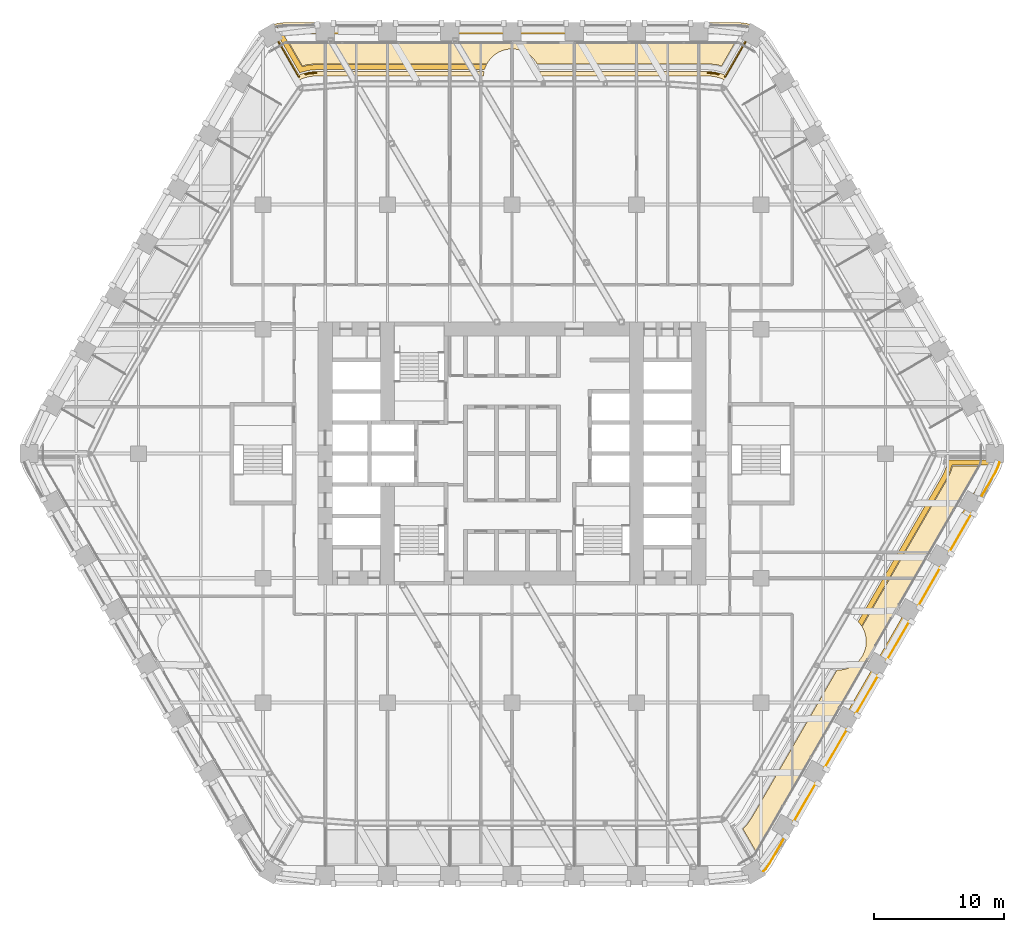
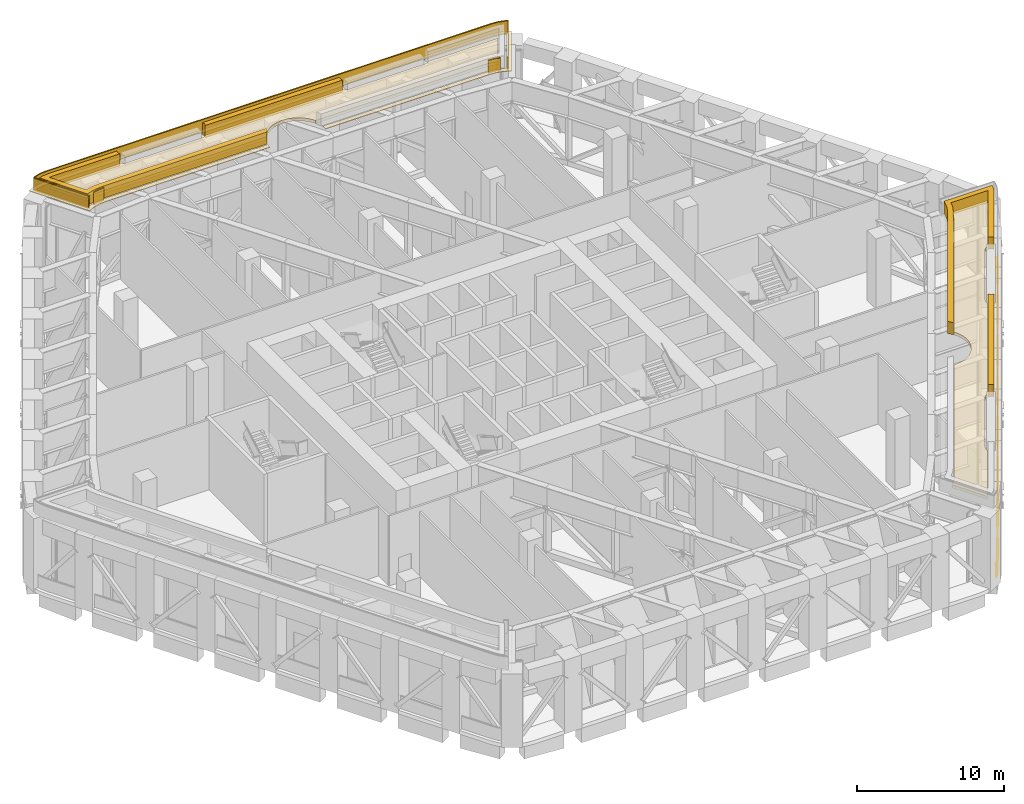
# One storey, part 34 of 35: 7 coverings, 2 railings.
"""IFC4 building model written with IfcOpenShell, lengths in metres."""

from ifc_helpers import new_model, si_unit, direction, frame, frame_2d, origin, origin_2d, place, context, subcontext, project, spatial, polyline, rectangle, outline, extrude, material, layer, layer_set, type_object, element, save


model = new_model("IFC4")

# Units and contexts
model_context = context("Model", 3, precision=1e-05, world=origin(), true_north=direction((0.0, 1.0)))
body_context = subcontext(model_context, "Body", "Model", "MODEL_VIEW")
ifc_project = project(units=[si_unit("LENGTHUNIT", "METRE"), si_unit("AREAUNIT", "SQUARE_METRE"), si_unit("VOLUMEUNIT", "CUBIC_METRE"), si_unit("PLANEANGLEUNIT", "RADIAN"), si_unit("MASSUNIT", "GRAM", prefix="KILO")], contexts=[model_context])

# Site, building, storey
site_placement = place(None, origin())
site = spatial("IfcSite", under=ifc_project, at=site_placement, CompositionType="ELEMENT")
building_placement = place(site_placement, origin())
building = spatial("IfcBuilding", under=site, at=building_placement, Name="Kolab Exchange Tower", CompositionType="ELEMENT")
storey_placement = place(building_placement, frame((0.0, 0.0, 71.89990234375)))
storey = spatial("IfcBuildingStorey", under=building, at=storey_placement, Name="L13", CompositionType="ELEMENT", Elevation=71.89990234375)

# Railings
ifc_material_1 = material(Name="Steel S235", Category="steel")
railing_type = type_object("IfcRailingType", Name="GUARD 1100 GLASS BALUSTRADE AND STEEL TOP RAIL", PredefinedType="GUARDRAIL", material=ifc_material_1)
railing_1_placement = place(storey_placement, frame((19.3916015625, -32.2060546875, 0.0)))
element("IfcRailing", 1, at=railing_1_placement, inside=storey, type_object=railing_type, Name="Guard", PredefinedType="GUARDRAIL", context=body_context, shape_type="SweptSolid", body=[
    extrude(rectangle(XDim=0.05, YDim=0.05, at=origin_2d()), frame((0.0, 0.0, 1.0751953125), z_axis=(0.706634904947, 0.707578342737, 0.0), x_axis=(-0.707578342737, 0.706634904947, 0.0)), (0.0, 0.0, 1.0), 0.2587890625),
    extrude(rectangle(XDim=0.012, YDim=1.05009765625, at=frame_2d((0.0, 0.525146484375))), frame((0.0, 0.0, 0.0), z_axis=(0.706634904947, 0.707578342737, 0.0), x_axis=(-0.707578342737, 0.706634904947, 0.0)), (0.0, 0.0, 1.0), 0.2587890625),
    extrude(rectangle(XDim=0.05, YDim=0.05, at=origin_2d()), frame((0.182861328125, 0.18310546875, 1.0751953125), z_axis=(0.573940749815, 0.818896828485, 0.0), x_axis=(-0.818896828485, 0.573940749815, 0.0)), (0.0, 0.0, 1.0), 0.4794921875),
    extrude(rectangle(XDim=0.012, YDim=1.05009765625, at=frame_2d((0.0, 0.525146484375))), frame((0.182861328125, 0.18310546875, 0.0), z_axis=(0.573940749815, 0.818896828485, 0.0), x_axis=(-0.818896828485, 0.573940749815, 0.0)), (0.0, 0.0, 1.0), 0.4794921875),
    extrude(rectangle(XDim=0.05, YDim=0.05, at=origin_2d()), frame((0.4580078125, 0.57568359375, 1.0751953125), z_axis=(0.499942602326, 0.866058539811, 0.0), x_axis=(-0.866058539811, 0.499942602326, 0.0)), (0.0, 0.0, 1.0), 2.367919921875),
    extrude(rectangle(XDim=0.012, YDim=1.05009765625, at=frame_2d((0.0, 0.525146484375))), frame((0.4580078125, 0.57568359375, 0.0), z_axis=(0.499942602326, 0.866058539811, 0.0), x_axis=(-0.866058539811, 0.499942602326, 0.0)), (0.0, 0.0, 1.0), 2.367919921875),
    extrude(rectangle(XDim=0.05, YDim=0.05, at=origin_2d()), frame((2.341796875, 3.8388671875, 1.0751953125), z_axis=(0.500062241894, 0.865989465428, 0.0), x_axis=(-0.865989465428, 0.500062241894, 0.0)), (0.0, 0.0, 1.0), 3.39990234375),
    extrude(rectangle(XDim=0.012, YDim=1.05009765625, at=frame_2d((0.0, 0.525146484375))), frame((2.341796875, 3.8388671875, 0.0), z_axis=(0.500062241894, 0.865989465428, 0.0), x_axis=(-0.865989465428, 0.500062241894, 0.0)), (0.0, 0.0, 1.0), 3.39990234375),
    extrude(rectangle(XDim=0.05, YDim=0.05, at=origin_2d()), frame((4.741943359375, 7.995849609375, 1.0751953125), z_axis=(0.500008388397, 0.866020560687, 0.0), x_axis=(-0.866020560687, 0.500008388397, 0.0)), (0.0, 0.0, 1.0), 3.39990234375),
    extrude(rectangle(XDim=0.012, YDim=1.05009765625, at=frame_2d((0.0, 0.525146484375))), frame((4.741943359375, 7.995849609375, 0.0), z_axis=(0.500008388397, 0.866020560687, 0.0), x_axis=(-0.866020560687, 0.500008388397, 0.0)), (0.0, 0.0, 1.0), 3.39990234375),
    extrude(rectangle(XDim=0.05, YDim=0.05, at=origin_2d()), frame((7.141845703125, 12.152587890625, 1.0751953125), z_axis=(0.499977295307, 0.866038511948, 0.0), x_axis=(-0.866038511948, 0.499977295307, 0.0)), (0.0, 0.0, 1.0), 3.400146484375),
    extrude(rectangle(XDim=0.012, YDim=1.05009765625, at=frame_2d((0.0, 0.525146484375))), frame((7.141845703125, 12.152587890625, 0.0), z_axis=(0.499977295307, 0.866038511948, 0.0), x_axis=(-0.866038511948, 0.499977295307, 0.0)), (0.0, 0.0, 1.0), 3.400146484375),
    extrude(rectangle(XDim=0.05, YDim=0.05, at=origin_2d()), frame((9.5419921875, 16.3095703125, 1.0751953125), z_axis=(0.499977295307, 0.866038511948, 0.0), x_axis=(-0.866038511948, 0.499977295307, 0.0)), (0.0, 0.0, 1.0), 3.400146484375),
    extrude(rectangle(XDim=0.012, YDim=1.05009765625, at=frame_2d((0.0, 0.525146484375))), frame((9.5419921875, 16.3095703125, 0.0), z_axis=(0.499977295307, 0.866038511948, 0.0), x_axis=(-0.866038511948, 0.499977295307, 0.0)), (0.0, 0.0, 1.0), 3.400146484375),
    extrude(rectangle(XDim=0.05, YDim=0.05, at=origin_2d()), frame((11.94189453125, 20.466552734375, 1.0751953125), z_axis=(0.500008388397, 0.866020560687, 0.0), x_axis=(-0.866020560687, 0.500008388397, 0.0)), (0.0, 0.0, 1.0), 3.39990234375),
    extrude(rectangle(XDim=0.012, YDim=1.05009765625, at=frame_2d((0.0, 0.525146484375))), frame((11.94189453125, 20.466552734375, 0.0), z_axis=(0.500008388397, 0.866020560687, 0.0), x_axis=(-0.866020560687, 0.500008388397, 0.0)), (0.0, 0.0, 1.0), 3.39990234375),
    extrude(rectangle(XDim=0.05, YDim=0.05, at=origin_2d()), frame((14.341796875, 24.62353515625, 1.0751953125), z_axis=(0.500062241894, 0.865989465428, 0.0), x_axis=(-0.865989465428, 0.500062241894, 0.0)), (0.0, 0.0, 1.0), 3.39990234375),
    extrude(rectangle(XDim=0.012, YDim=1.05009765625, at=frame_2d((0.0, 0.525146484375))), frame((14.341796875, 24.62353515625, 0.0), z_axis=(0.500062241894, 0.865989465428, 0.0), x_axis=(-0.865989465428, 0.500062241894, 0.0)), (0.0, 0.0, 1.0), 3.39990234375),
    extrude(rectangle(XDim=0.05, YDim=0.05, at=origin_2d()), frame((16.741943359375, 28.7802734375, 1.0751953125), z_axis=(0.499942602326, 0.866058539811, 0.0), x_axis=(-0.866058539811, 0.499942602326, 0.0)), (0.0, 0.0, 1.0), 2.367919921875),
    extrude(rectangle(XDim=0.012, YDim=1.05009765625, at=frame_2d((0.0, 0.525146484375))), frame((16.741943359375, 28.7802734375, 0.0), z_axis=(0.499942602326, 0.866058539811, 0.0), x_axis=(-0.866058539811, 0.499942602326, 0.0)), (0.0, 0.0, 1.0), 2.367919921875),
    extrude(rectangle(XDim=0.05, YDim=0.05, at=origin_2d()), frame((17.92578125, 30.8310546875, 1.0751953125), z_axis=(0.422801802984, 0.906222177721, 0.0), x_axis=(-0.906222177721, 0.422801802984, 0.0)), (0.0, 0.0, 1.0), 0.479248046875),
    extrude(rectangle(XDim=0.012, YDim=1.05009765625, at=frame_2d((0.0, 0.525146484375))), frame((17.92578125, 30.8310546875, 0.0), z_axis=(0.422801802984, 0.906222177721, 0.0), x_axis=(-0.906222177721, 0.422801802984, 0.0)), (0.0, 0.0, 1.0), 0.479248046875),
    extrude(rectangle(XDim=0.05, YDim=0.05, at=origin_2d()), frame((18.12841796875, 31.265380859375, 1.0751953125), z_axis=(0.258484584798, 0.966015382601, 0.0), x_axis=(-0.966015382601, 0.258484584798, 0.0)), (0.0, 0.0, 1.0), 0.2587890625),
    extrude(rectangle(XDim=0.012, YDim=1.05009765625, at=frame_2d((0.0, 0.525146484375))), frame((18.12841796875, 31.265380859375, 0.0), z_axis=(0.258484584798, 0.966015382601, 0.0), x_axis=(-0.966015382601, 0.258484584798, 0.0)), (0.0, 0.0, 1.0), 0.2587890625),
])
railing_2_placement = place(storey_placement, frame((-18.614990234375, 32.7421875, 6.0)))
element("IfcRailing", 2, at=railing_2_placement, inside=storey, type_object=railing_type, Name="Ledge guard", PredefinedType="GUARDRAIL", context=body_context, shape_type="SweptSolid", body=[
    extrude(rectangle(XDim=0.05, YDim=0.05, at=origin_2d()), frame((34.570068359375, -3.528564453125, 1.0751953125), z_axis=(-0.965918675344, 0.258845731319, 0.0), x_axis=(-0.258845731319, -0.965918675344, 0.0)), (0.0, 0.0, 1.0), 0.333984375),
    extrude(rectangle(XDim=0.012, YDim=1.05009765625, at=frame_2d((0.0, 0.525146484375))), frame((34.570068359375, -3.528564453125, 0.0), z_axis=(-0.965918675344, 0.258845731319, 0.0), x_axis=(-0.258845731319, -0.965918675344, 0.0)), (0.0, 0.0, 1.0), 0.333984375),
    extrude(rectangle(XDim=0.05, YDim=0.05, at=origin_2d()), frame((34.24755859375, -3.442138671875, 1.0751953125), z_axis=(-0.996356068108, 0.085291180928, 0.0), x_axis=(-0.085291180928, -0.996356068108, 0.0)), (0.0, 0.0, 1.0), 0.566650390625),
    extrude(rectangle(XDim=0.012, YDim=1.05009765625, at=frame_2d((0.0, 0.525146484375))), frame((34.24755859375, -3.442138671875, 0.0), z_axis=(-0.996356068108, 0.085291180928, 0.0), x_axis=(-0.085291180928, -0.996356068108, 0.0)), (0.0, 0.0, 1.0), 0.566650390625),
    extrude(rectangle(XDim=0.05, YDim=0.05, at=origin_2d()), frame((3.547119140625, -3.393798828125, 1.0751953125), z_axis=(-0.996356068108, -0.085291180928, 0.0), x_axis=(0.085291180928, -0.996356068108, 0.0)), (0.0, 0.0, 1.0), 0.566650390625),
    extrude(rectangle(XDim=0.012, YDim=1.05009765625, at=frame_2d((0.0, 0.525146484375))), frame((3.547119140625, -3.393798828125, 0.0), z_axis=(-0.996356068108, -0.085291180928, 0.0), x_axis=(0.085291180928, -0.996356068108, 0.0)), (0.0, 0.0, 1.0), 0.566650390625),
    extrude(rectangle(XDim=0.05, YDim=0.05, at=origin_2d()), frame((2.982421875, -3.442138671875, 1.0751953125), z_axis=(-0.965918675344, -0.258845731319, 0.0), x_axis=(0.258845731319, -0.965918675344, 0.0)), (0.0, 0.0, 1.0), 0.333984375),
    extrude(rectangle(XDim=0.012, YDim=1.05009765625, at=frame_2d((0.0, 0.525146484375))), frame((2.982421875, -3.442138671875, 0.0), z_axis=(-0.965918675344, -0.258845731319, 0.0), x_axis=(0.258845731319, -0.965918675344, 0.0)), (0.0, 0.0, 1.0), 0.333984375),
    extrude(rectangle(XDim=0.05, YDim=0.05, at=origin_2d()), frame((2.23046875, -3.684326171875, 1.0751953125), z_axis=(-0.907083047366, -0.420951713598, 0.0), x_axis=(0.420951713598, -0.907083047366, 0.0)), (0.0, 0.0, 1.0), 0.08984375),
    extrude(rectangle(XDim=0.012, YDim=1.05009765625, at=frame_2d((0.0, 0.525146484375))), frame((2.23046875, -3.684326171875, 0.0), z_axis=(-0.907083047366, -0.420951713598, 0.0), x_axis=(0.420951713598, -0.907083047366, 0.0)), (0.0, 0.0, 1.0), 0.08984375),
    extrude(rectangle(XDim=0.05, YDim=0.05, at=origin_2d()), frame((2.14892578125, -3.72216796875, 1.0751953125), z_axis=(-0.499987977232, 0.866032345022, 0.0), x_axis=(-0.866032345022, -0.499987977232, 0.0)), (0.0, 0.0, 1.0), 4.2978515625),
    extrude(rectangle(XDim=0.012, YDim=1.05009765625, at=frame_2d((0.0, 0.525146484375))), frame((2.14892578125, -3.72216796875, 0.0), z_axis=(-0.499987977232, 0.866032345022, 0.0), x_axis=(-0.866032345022, -0.499987977232, 0.0)), (0.0, 0.0, 1.0), 4.2978515625),
    extrude(rectangle(XDim=0.05, YDim=0.05, at=origin_2d()), frame((0.0, 0.0, 1.0751953125), z_axis=(0.906292453065, 0.422651143991, 0.0), x_axis=(-0.422651143991, 0.906292453065, 0.0)), (0.0, 0.0, 1.0), 0.228271484375),
    extrude(rectangle(XDim=0.012, YDim=1.05009765625, at=frame_2d((0.0, 0.525146484375))), frame((0.0, 0.0, 0.0), z_axis=(0.906292453065, 0.422651143991, 0.0), x_axis=(-0.422651143991, 0.906292453065, 0.0)), (0.0, 0.0, 1.0), 0.228271484375),
    extrude(rectangle(XDim=0.05, YDim=0.05, at=origin_2d()), frame((0.206787109375, 0.096435546875, 1.0751953125), z_axis=(0.965929859648, 0.258803991931, 0.0), x_axis=(-0.258803991931, 0.965929859648, 0.0)), (0.0, 0.0, 1.0), 0.479248046875),
    extrude(rectangle(XDim=0.012, YDim=1.05009765625, at=frame_2d((0.0, 0.525146484375))), frame((0.206787109375, 0.096435546875, 0.0), z_axis=(0.965929859648, 0.258803991931, 0.0), x_axis=(-0.258803991931, 0.965929859648, 0.0)), (0.0, 0.0, 1.0), 0.479248046875),
    extrude(rectangle(XDim=0.05, YDim=0.05, at=origin_2d()), frame((0.669677734375, 0.220458984375, 1.0751953125), z_axis=(0.996193717496, 0.087166950281, 0.0), x_axis=(-0.087166950281, 0.996193717496, 0.0)), (0.0, 0.0, 1.0), 0.490234375),
    extrude(rectangle(XDim=0.012, YDim=1.05009765625, at=frame_2d((0.0, 0.525146484375))), frame((0.669677734375, 0.220458984375, 0.0), z_axis=(0.996193717496, 0.087166950281, 0.0), x_axis=(-0.087166950281, 0.996193717496, 0.0)), (0.0, 0.0, 1.0), 0.490234375),
    extrude(rectangle(XDim=0.05, YDim=0.05, at=origin_2d()), frame((1.157958984375, 0.26318359375, 1.0751953125), z_axis=(1.0, 0.0, 0.0), x_axis=(0.0, 1.0, 0.0)), (0.0, 0.0, 1.0), 34.9140625),
    extrude(rectangle(XDim=0.012, YDim=1.05009765625, at=frame_2d((0.0, 0.525146484375))), frame((1.157958984375, 0.26318359375, 0.0), z_axis=(1.0, 0.0, 0.0), x_axis=(0.0, 1.0, 0.0)), (0.0, 0.0, 1.0), 34.9140625),
    extrude(rectangle(XDim=0.05, YDim=0.05, at=origin_2d()), frame((36.072021484375, 0.26318359375, 1.0751953125), z_axis=(0.996193717496, -0.087166950281, 0.0), x_axis=(0.087166950281, 0.996193717496, 0.0)), (0.0, 0.0, 1.0), 0.490234375),
    extrude(rectangle(XDim=0.012, YDim=1.05009765625, at=frame_2d((0.0, 0.525146484375))), frame((36.072021484375, 0.26318359375, 0.0), z_axis=(0.996193717496, -0.087166950281, 0.0), x_axis=(0.087166950281, 0.996193717496, 0.0)), (0.0, 0.0, 1.0), 0.490234375),
    extrude(rectangle(XDim=0.05, YDim=0.05, at=origin_2d()), frame((36.560302734375, 0.220458984375, 1.0751953125), z_axis=(0.965929859648, -0.258803991931, 0.0), x_axis=(0.258803991931, 0.965929859648, 0.0)), (0.0, 0.0, 1.0), 0.479248046875),
    extrude(rectangle(XDim=0.012, YDim=1.05009765625, at=frame_2d((0.0, 0.525146484375))), frame((36.560302734375, 0.220458984375, 0.0), z_axis=(0.965929859648, -0.258803991931, 0.0), x_axis=(0.258803991931, 0.965929859648, 0.0)), (0.0, 0.0, 1.0), 0.479248046875),
    extrude(rectangle(XDim=0.05, YDim=0.05, at=origin_2d()), frame((37.023193359375, 0.096435546875, 1.0751953125), z_axis=(0.906292453065, -0.422651143991, 0.0), x_axis=(0.422651143991, 0.906292453065, 0.0)), (0.0, 0.0, 1.0), 0.228271484375),
    extrude(rectangle(XDim=0.012, YDim=1.05009765625, at=frame_2d((0.0, 0.525146484375))), frame((37.023193359375, 0.096435546875, 0.0), z_axis=(0.906292453065, -0.422651143991, 0.0), x_axis=(0.422651143991, 0.906292453065, 0.0)), (0.0, 0.0, 1.0), 0.228271484375),
    extrude(rectangle(XDim=0.05, YDim=0.05, at=origin_2d()), frame((37.22998046875, 0.0, 1.0751953125), z_axis=(-0.499987977232, -0.866032345022, 0.0), x_axis=(0.866032345022, -0.499987977232, 0.0)), (0.0, 0.0, 1.0), 4.2978515625),
    extrude(rectangle(XDim=0.012, YDim=1.05009765625, at=frame_2d((0.0, 0.525146484375))), frame((37.22998046875, 0.0, 0.0), z_axis=(-0.499987977232, -0.866032345022, 0.0), x_axis=(0.866032345022, -0.499987977232, 0.0)), (0.0, 0.0, 1.0), 4.2978515625),
    extrude(rectangle(XDim=0.05, YDim=0.05, at=origin_2d()), frame((35.0810546875, -3.72216796875, 1.0751953125), z_axis=(-0.907083047366, 0.420951713598, 0.0), x_axis=(-0.420951713598, -0.907083047366, 0.0)), (0.0, 0.0, 1.0), 0.08984375),
    extrude(rectangle(XDim=0.012, YDim=1.05009765625, at=frame_2d((0.0, 0.525146484375))), frame((35.0810546875, -3.72216796875, 0.0), z_axis=(-0.907083047366, 0.420951713598, 0.0), x_axis=(-0.420951713598, -0.907083047366, 0.0)), (0.0, 0.0, 1.0), 0.08984375),
])

# Coverings
ifc_material_2 = material(Name="Planting soil and turf", Category="soil")
ifc_layer_1 = layer(ifc_material_2, 0.25)
ifc_layer_set_1 = layer_set([ifc_layer_1], Name="Planting soil and turf")
covering_type_1 = type_object("IfcCoveringType", Name="PLANTING SOIL AND TURF 250", PredefinedType="USERDEFINED", material=ifc_layer_set_1)
covering_1_placement = place(storey_placement, frame((0.0, 0.0, 6.0)))
element("IfcCovering", 3, at=covering_1_placement, inside=storey, type_object=covering_type_1, Name="Planting soil and turf", ObjectType="PLANTING", PredefinedType="USERDEFINED", context=body_context, shape_type="SweptSolid", body=[
    extrude(outline(polyline([(-17.426513671875, 32.305419921875), (-12.0458984375, 32.305419921875), (-12.043212890625, 32.301513671875), (-12.016845703125, 32.2724609375), (-11.98779296875, 32.24609375), (-11.956298828125, 32.222900390625), (-11.922607421875, 32.20263671875), (-11.886962890625, 32.185791015625), (-11.85009765625, 32.172607421875), (-11.81201171875, 32.1630859375), (-11.773193359375, 32.1572265625), (-11.73388671875, 32.1552734375), (-5.73388671875, 32.1552734375), (-5.69482421875, 32.1572265625), (-5.656005859375, 32.1630859375), (-5.617919921875, 32.172607421875), (-5.580810546875, 32.185791015625), (-5.54541015625, 32.20263671875), (-5.51171875, 32.222900390625), (-5.480224609375, 32.24609375), (-5.451171875, 32.2724609375), (-5.4248046875, 32.301513671875), (-5.421875, 32.305419921875), (5.421875, 32.305419921875), (5.4248046875, 32.301513671875), (5.451171875, 32.2724609375), (5.480224609375, 32.24609375), (5.51171875, 32.222900390625), (5.54541015625, 32.20263671875), (5.580810546875, 32.185791015625), (5.617919921875, 32.172607421875), (5.656005859375, 32.1630859375), (5.69482421875, 32.1572265625), (5.73388671875, 32.1552734375), (11.73388671875, 32.1552734375), (11.773193359375, 32.1572265625), (11.81201171875, 32.1630859375), (11.85009765625, 32.172607421875), (11.886962890625, 32.185791015625), (11.922607421875, 32.20263671875), (11.956298828125, 32.222900390625), (11.98779296875, 32.24609375), (12.016845703125, 32.2724609375), (12.043212890625, 32.301513671875), (12.0458984375, 32.305419921875), (17.426513671875, 32.305419921875), (17.54833984375, 32.294677734375), (16.15673828125, 29.88427734375), (15.75439453125, 29.991943359375), (15.109375, 30.04833984375), (1.932373046875, 30.04833984375), (1.829345703125, 30.220703125), (1.70068359375, 30.39404296875), (1.5556640625, 30.55419921875), (1.395751953125, 30.698974609375), (1.22216796875, 30.82763671875), (1.037109375, 30.938720703125), (0.841796875, 31.031005859375), (0.638671875, 31.103759765625), (0.42919921875, 31.15625), (0.215576171875, 31.187744140625), (0.0, 31.198486328125), (-0.215576171875, 31.187744140625), (-0.42919921875, 31.15625), (-0.638671875, 31.103759765625), (-0.841796875, 31.031005859375), (-1.037109375, 30.938720703125), (-1.22216796875, 30.82763671875), (-1.395751953125, 30.698974609375), (-1.5556640625, 30.55419921875), (-1.70068359375, 30.39404296875), (-1.829345703125, 30.220703125), (-1.932373046875, 30.04833984375), (-15.109375, 30.04833984375), (-15.75439453125, 29.991943359375), (-16.15673828125, 29.88427734375), (-17.54833984375, 32.294677734375), (-17.426513671875, 32.305419921875)])), origin(), (0.0, 0.0, 1.0), 0.25),
])
covering_2_placement = place(storey_placement, frame((0.0, 0.0, 6.0)))
element("IfcCovering", 4, at=covering_2_placement, inside=storey, type_object=covering_type_1, Name="Planting soil and turf", ObjectType="PLANTING", PredefinedType="USERDEFINED", context=body_context, shape_type="SweptSolid", body=[
    extrude(outline(polyline([(18.0966796875, -28.639892578125), (18.468017578125, -28.109375), (25.057373046875, -16.696533203125), (25.11328125, -16.69921875), (25.3291015625, -16.688720703125), (25.54248046875, -16.656982421875), (25.751953125, -16.6044921875), (25.955322265625, -16.53173828125), (26.150390625, -16.439453125), (26.335693359375, -16.328369140625), (26.509033203125, -16.199951171875), (26.6689453125, -16.054931640625), (26.81396484375, -15.894775390625), (26.942626953125, -15.721435546875), (27.0537109375, -15.536376953125), (27.14599609375, -15.341064453125), (27.21875, -15.137939453125), (27.271240234375, -14.928466796875), (27.302734375, -14.71484375), (27.3134765625, -14.499267578125), (27.302734375, -14.28369140625), (27.271240234375, -14.070068359375), (27.21875, -13.860595703125), (27.14599609375, -13.6572265625), (27.0537109375, -13.462158203125), (26.98779296875, -13.3525390625), (33.577392578125, -1.93896484375), (33.85107421875, -1.352294921875), (33.958984375, -0.949951171875), (36.7421875, -0.949951171875), (36.6904296875, -1.06103515625), (34.000244140625, -5.720458984375), (33.99560546875, -5.72119140625), (33.957275390625, -5.7294921875), (33.919921875, -5.741455078125), (33.8837890625, -5.757080078125), (33.849609375, -5.776123046875), (33.8173828125, -5.79833984375), (33.787353515625, -5.82373046875), (33.760009765625, -5.85205078125), (33.735595703125, -5.8828125), (33.71435546875, -5.915771484375), (30.71435546875, -11.11181640625), (30.696533203125, -11.146728515625), (30.681884765625, -11.183349609375), (30.671142578125, -11.22119140625), (30.664306640625, -11.259765625), (30.660888671875, -11.298828125), (30.66162109375, -11.338134765625), (30.666015625, -11.377197265625), (30.67431640625, -11.41552734375), (30.6865234375, -11.452880859375), (30.688232421875, -11.45703125), (25.266357421875, -20.84814453125), (25.26171875, -20.848876953125), (25.223388671875, -20.857177734375), (25.185791015625, -20.869140625), (25.14990234375, -20.884765625), (25.115478515625, -20.90380859375), (25.083251953125, -20.926025390625), (25.053466796875, -20.951416015625), (25.026123046875, -20.979736328125), (25.001708984375, -21.010498046875), (24.98046875, -21.04345703125), (21.98046875, -26.239501953125), (21.96240234375, -26.2744140625), (21.947998046875, -26.31103515625), (21.937255859375, -26.348876953125), (21.93017578125, -26.387451171875), (21.927001953125, -26.426513671875), (21.927734375, -26.4658203125), (21.93212890625, -26.5048828125), (21.9404296875, -26.543212890625), (21.952392578125, -26.58056640625), (21.954345703125, -26.584716796875), (19.26416015625, -31.244384765625), (19.19384765625, -31.3447265625), (17.80224609375, -28.934326171875), (18.0966796875, -28.639892578125)])), origin(), (0.0, 0.0, 1.0), 0.25),
])
ifc_material_3 = material(Name="Limestone coping", Category="masonry")
ifc_layer_2 = layer(ifc_material_3, 0.050048828125)
ifc_layer_set_2 = layer_set([ifc_layer_2], Name="Limestone coping")
covering_type_2 = type_object("IfcCoveringType", Name="TERRACE EDGE BAND LIMESTONE 50", PredefinedType="CLADDING", material=ifc_layer_set_2)
covering_3_placement = place(storey_placement, frame((0.0, 0.0, 6.0)))
element("IfcCovering", 5, at=covering_3_placement, inside=storey, type_object=covering_type_2, Name="Terrace edge band", PredefinedType="CLADDING", context=body_context, shape_type="SweptSolid", body=[
    extrude(outline(polyline([(-17.9853515625, 33.18994140625), (-17.467041015625, 33.2353515625), (17.467041015625, 33.2353515625), (17.9853515625, 33.18994140625), (18.487060546875, 33.0556640625), (18.939697265625, 32.844482421875), (16.559814453125, 28.722412109375), (16.100830078125, 28.936279296875), (15.59228515625, 29.07275390625), (15.06884765625, 29.118408203125), (2.194091796875, 29.118408203125), (2.189453125, 29.214111328125), (2.15771484375, 29.427734375), (2.1474609375, 29.468505859375), (15.083984375, 29.468505859375), (15.6533203125, 29.418701171875), (16.220947265625, 29.2666015625), (16.4169921875, 29.175048828125), (18.445556640625, 32.688720703125), (18.366943359375, 32.725341796875), (17.92431640625, 32.843994140625), (17.451904296875, 32.885498046875), (11.959716796875, 32.885498046875), (11.956298828125, 32.887939453125), (11.922607421875, 32.908203125), (11.886962890625, 32.925048828125), (11.85009765625, 32.938232421875), (11.81201171875, 32.94775390625), (11.773193359375, 32.953369140625), (11.73388671875, 32.955322265625), (5.73388671875, 32.955322265625), (5.69482421875, 32.953369140625), (5.656005859375, 32.94775390625), (5.617919921875, 32.938232421875), (5.580810546875, 32.925048828125), (5.54541015625, 32.908203125), (5.51171875, 32.887939453125), (5.50830078125, 32.885498046875), (-5.50830078125, 32.885498046875), (-5.51171875, 32.887939453125), (-5.54541015625, 32.908203125), (-5.580810546875, 32.925048828125), (-5.617919921875, 32.938232421875), (-5.656005859375, 32.94775390625), (-5.69482421875, 32.953369140625), (-5.73388671875, 32.955322265625), (-11.73388671875, 32.955322265625), (-11.773193359375, 32.953369140625), (-11.81201171875, 32.94775390625), (-11.85009765625, 32.938232421875), (-11.886962890625, 32.925048828125), (-11.922607421875, 32.908203125), (-11.956298828125, 32.887939453125), (-11.959716796875, 32.885498046875), (-17.451904296875, 32.885498046875), (-17.92431640625, 32.843994140625), (-18.366943359375, 32.725341796875), (-18.445556640625, 32.688720703125), (-16.4169921875, 29.175048828125), (-16.220947265625, 29.2666015625), (-15.6533203125, 29.418701171875), (-15.083984375, 29.468505859375), (-2.1474609375, 29.468505859375), (-2.15771484375, 29.427734375), (-2.189453125, 29.214111328125), (-2.194091796875, 29.118408203125), (-15.06884765625, 29.118408203125), (-15.59228515625, 29.07275390625), (-16.100830078125, 28.936279296875), (-16.559814453125, 28.722412109375), (-18.939697265625, 32.844482421875), (-18.487060546875, 33.0556640625), (-17.9853515625, 33.18994140625)])), origin(), (0.0, 0.0, 1.0), 0.050048828125),
])
ifc_material_4 = material(Name="Terrace hedge planting", Category="soil")
ifc_layer_3 = layer(ifc_material_4, 1.0)
ifc_layer_set_3 = layer_set([ifc_layer_3], Name="Terrace hedge planting")
covering_type_3 = type_object("IfcCoveringType", Name="TERRACE HEDGE 1000 X 400", PredefinedType="USERDEFINED", material=ifc_layer_set_3)
covering_4_placement = place(storey_placement, frame((0.0, 0.0, 6.0)))
element("IfcCovering", 6, at=covering_4_placement, inside=storey, type_object=covering_type_3, Name="Terrace hedge", ObjectType="PLANTING", PredefinedType="USERDEFINED", context=body_context, shape_type="SweptSolid", body=[
    extrude(outline(polyline([(-17.446044921875, 32.75537109375), (-12.079833984375, 32.75537109375), (-12.086669921875, 32.743896484375), (-12.103515625, 32.70849609375), (-12.11669921875, 32.67138671875), (-12.126220703125, 32.63330078125), (-12.132080078125, 32.594482421875), (-12.134033203125, 32.555419921875), (-12.132080078125, 32.51611328125), (-12.126220703125, 32.477294921875), (-12.11669921875, 32.439208984375), (-12.103515625, 32.40234375), (-12.086669921875, 32.36669921875), (-12.079833984375, 32.35546875), (-17.4287109375, 32.35546875), (-17.630859375, 32.337646484375), (-16.180908203125, 29.825927734375), (-15.745849609375, 29.942626953125), (-15.107177734375, 29.99853515625), (-1.957763671875, 29.99853515625), (-2.032470703125, 29.84033203125), (-2.105224609375, 29.636962890625), (-2.114990234375, 29.598388671875), (-15.08984375, 29.598388671875), (-15.676025390625, 29.547119140625), (-16.265625, 29.38916015625), (-16.364013671875, 29.34326171875), (-18.256103515625, 32.62060546875), (-17.90185546875, 32.715576171875), (-17.446044921875, 32.75537109375)])), origin(), (0.0, 0.0, 1.0), 1.0),
])
covering_5_placement = place(storey_placement, frame((0.0, 0.0, 6.0)))
element("IfcCovering", 7, at=covering_5_placement, inside=storey, type_object=covering_type_3, Name="Terrace hedge", ObjectType="PLANTING", PredefinedType="USERDEFINED", context=body_context, shape_type="SweptSolid", body=[
    extrude(outline(polyline([(5.38818359375, 32.75537109375), (5.381103515625, 32.743896484375), (5.364501953125, 32.70849609375), (5.351318359375, 32.67138671875), (5.341552734375, 32.63330078125), (5.3359375, 32.594482421875), (5.333984375, 32.555419921875), (5.3359375, 32.51611328125), (5.341552734375, 32.477294921875), (5.351318359375, 32.439208984375), (5.364501953125, 32.40234375), (5.381103515625, 32.36669921875), (5.38818359375, 32.35546875), (-5.38818359375, 32.35546875), (-5.381103515625, 32.36669921875), (-5.364501953125, 32.40234375), (-5.351318359375, 32.439208984375), (-5.341552734375, 32.477294921875), (-5.3359375, 32.51611328125), (-5.333984375, 32.555419921875), (-5.3359375, 32.594482421875), (-5.341552734375, 32.63330078125), (-5.351318359375, 32.67138671875), (-5.364501953125, 32.70849609375), (-5.381103515625, 32.743896484375), (-5.38818359375, 32.75537109375), (5.38818359375, 32.75537109375)])), origin(), (0.0, 0.0, 1.0), 1.0),
])
covering_6_placement = place(storey_placement, frame((0.0, 0.0, 6.0)))
element("IfcCovering", 8, at=covering_6_placement, inside=storey, type_object=covering_type_3, Name="Terrace hedge", ObjectType="PLANTING", PredefinedType="USERDEFINED", context=body_context, shape_type="SweptSolid", body=[
    extrude(outline(polyline([(25.6728515625, -21.0439453125), (25.66650390625, -21.0322265625), (25.64404296875, -21.0), (25.61865234375, -20.969970703125), (25.590576171875, -20.942626953125), (25.559814453125, -20.918212890625), (25.52685546875, -20.89697265625), (25.491943359375, -20.879150390625), (25.455322265625, -20.86474609375), (25.417724609375, -20.85400390625), (25.37890625, -20.846923828125), (25.33984375, -20.84375), (25.32666015625, -20.843994140625), (30.714599609375, -11.511474609375), (30.72119140625, -11.523193359375), (30.743408203125, -11.555419921875), (30.768798828125, -11.58544921875), (30.797119140625, -11.612548828125), (30.827880859375, -11.636962890625), (30.86083984375, -11.658447265625), (30.895751953125, -11.67626953125), (30.93212890625, -11.690673828125), (30.969970703125, -11.701416015625), (31.008544921875, -11.70849609375), (31.047607421875, -11.711669921875), (31.06103515625, -11.71142578125), (25.6728515625, -21.0439453125)])), origin(), (0.0, 0.0, 1.0), 1.0),
])
covering_7_placement = place(storey_placement, frame((0.0, 0.0, 6.0)))
element("IfcCovering", 9, at=covering_7_placement, inside=storey, type_object=covering_type_3, Name="Terrace hedge", ObjectType="PLANTING", PredefinedType="USERDEFINED", context=body_context, shape_type="SweptSolid", body=[
    extrude(outline(polyline([(33.177978515625, -1.731201171875), (33.426513671875, -1.19775390625), (33.584716796875, -0.608154296875), (33.593994140625, -0.5), (37.37841796875, -0.5), (37.283447265625, -0.8544921875), (37.090087890625, -1.268798828125), (34.406982421875, -5.916259765625), (34.400390625, -5.904541015625), (34.378173828125, -5.872314453125), (34.352783203125, -5.84228515625), (34.324462890625, -5.81494140625), (34.293701171875, -5.79052734375), (34.2607421875, -5.769287109375), (34.225830078125, -5.75146484375), (34.189453125, -5.737060546875), (34.151611328125, -5.726318359375), (34.113037109375, -5.71923828125), (34.073974609375, -5.716064453125), (34.060546875, -5.71630859375), (36.73486328125, -1.083984375), (36.82080078125, -0.89990234375), (33.92041015625, -0.89990234375), (33.803955078125, -1.3349609375), (33.532958984375, -1.916015625), (26.95849609375, -13.303466796875), (26.942626953125, -13.27685546875), (26.81396484375, -13.103515625), (26.690673828125, -12.96728515625), (33.177978515625, -1.731201171875)])), origin(), (0.0, 0.0, 1.0), 1.0),
])

save(model, "model.ifc")
